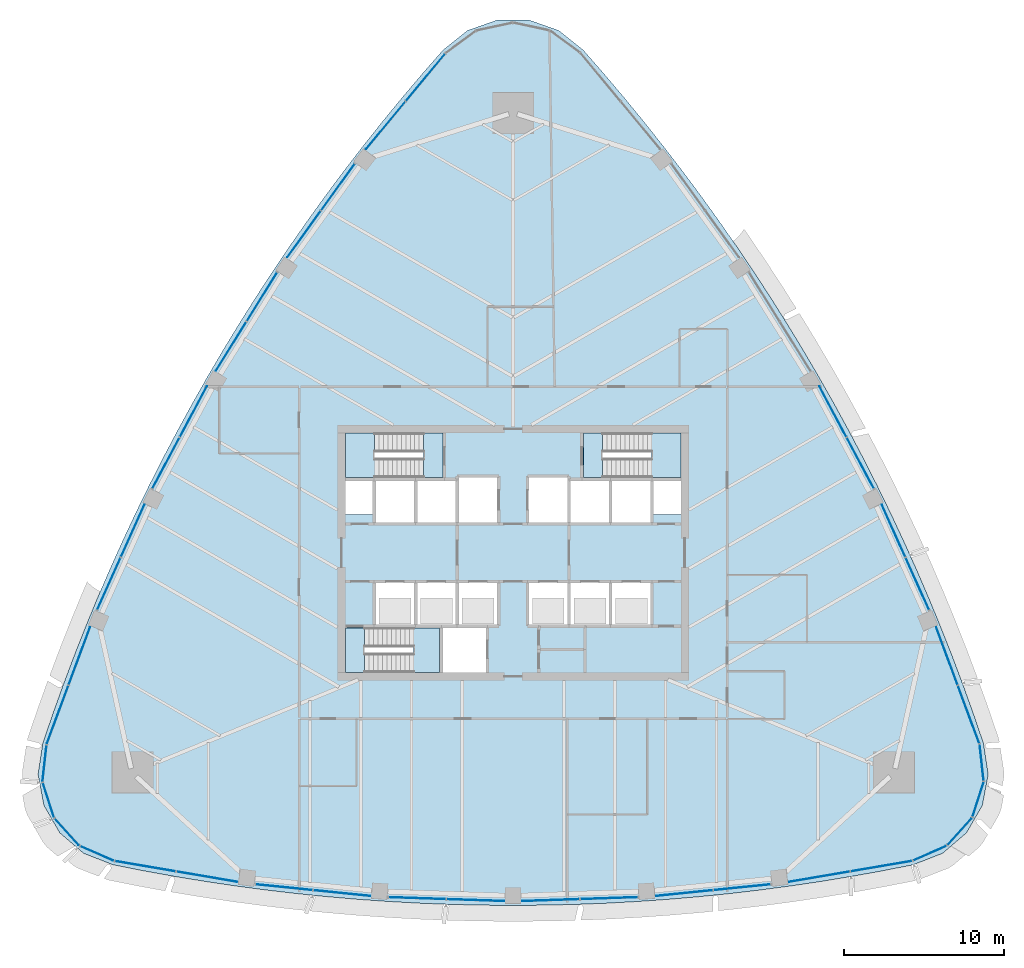
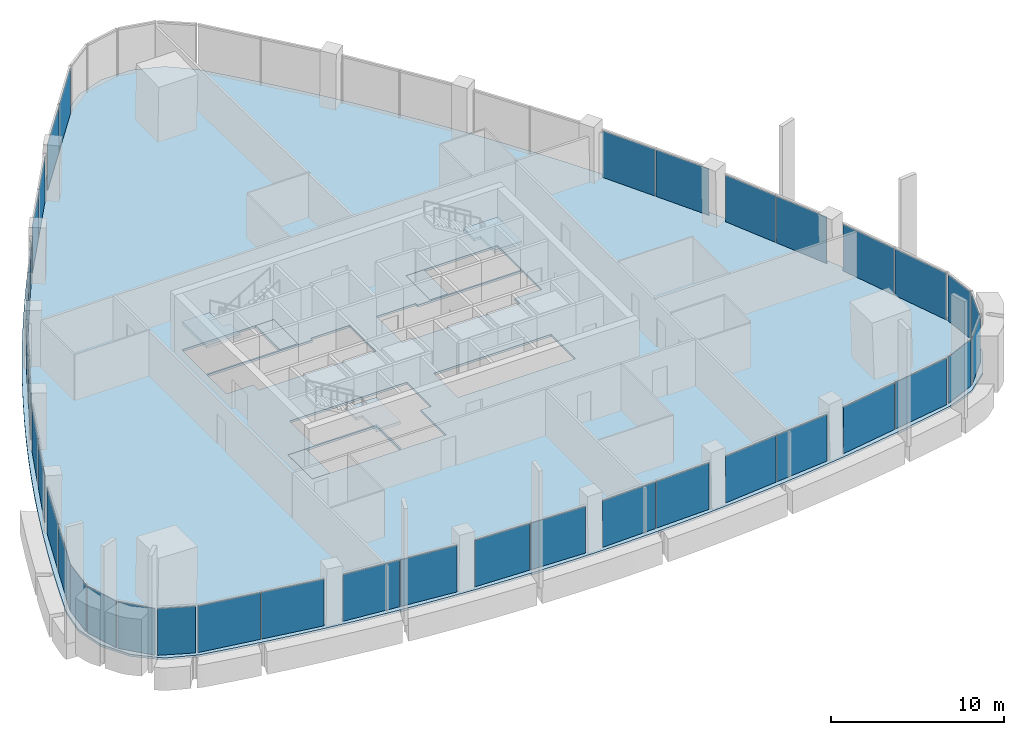
# One storey, part 8 of 17: 38 plates, 7 slabs, 26 elements without a shape of their own.
"""IFC4 building model written with IfcOpenShell, lengths in metres."""

from ifc_helpers import new_model, si_unit, direction, frame, origin, origin_2d, place, context, subcontext, project, spatial, polyline, rectangle, outline, extrude, material, layer, layer_set, type_object, element, aggregate, save


model = new_model("IFC4")

# Units and contexts
model_context = context("Model", 3, precision=1e-05, world=origin(), true_north=direction((0.0, 1.0)))
body_context = subcontext(model_context, "Body", "Model", "MODEL_VIEW")
ifc_project = project(units=[si_unit("LENGTHUNIT", "METRE"), si_unit("AREAUNIT", "SQUARE_METRE"), si_unit("VOLUMEUNIT", "CUBIC_METRE"), si_unit("PLANEANGLEUNIT", "RADIAN"), si_unit("MASSUNIT", "GRAM", prefix="KILO")], contexts=[model_context])

# Site, building, storey
site_placement = place(None, origin())
site = spatial("IfcSite", under=ifc_project, at=site_placement, CompositionType="ELEMENT")
building_placement = place(site_placement, origin())
building = spatial("IfcBuilding", under=site, at=building_placement, Name="Sierra Prisma Convention Tower", CompositionType="ELEMENT")
storey_placement = place(building_placement, frame((0.0, 0.0, 169.800048828125)))
storey = spatial("IfcBuildingStorey", under=building, at=storey_placement, Name="L37", CompositionType="ELEMENT", Elevation=169.800048828125)

# Curtain wall, plates
ifc_material_1 = material(Name="Aluminium and glass curtain wall", Category="aluminium")
ifc_layer_1 = layer(ifc_material_1, 0.179931640625)
ifc_layer_set_1 = layer_set([ifc_layer_1], Name="CW-1 Plain shaft curtain wall")
curtain_wall_type = type_object("IfcCurtainWallType", Name="CW-1 Plain shaft curtain wall", PredefinedType="NOTDEFINED", material=ifc_layer_set_1)
curtain_wall_1_placement = place(storey_placement, origin())
curtain_wall_1 = element("IfcCurtainWall", 1, at=curtain_wall_1_placement, inside=storey, type_object=curtain_wall_type, Name="CW-1 S1 L37", PredefinedType="NOTDEFINED")
ifc_material_2 = material(Name="Tinted glass bronze-grey IGU", Category="glass")
ifc_layer_2 = layer(ifc_material_2, 0.028076171875)
ifc_layer_set_2 = layer_set([ifc_layer_2], Name="CW-1 glass panel")
plate_type = type_object("IfcPlateType", Name="CW-1 glass panel", PredefinedType="CURTAIN_PANEL", material=ifc_layer_set_2)
plate_1_placement = place(storey_placement, frame((-23.031005859375, -19.629638671875, 0.0), z_axis=(0.0, 0.0, 1.0), x_axis=(0.985820196303, -0.167805067151, 0.0)))
plate_1 = element("IfcPlate", 2, at=plate_1_placement, type_object=plate_type, Name="CW-1 panel S1.1", PredefinedType="CURTAIN_PANEL", context=body_context, shape_type="SweptSolid", body=[
    extrude(rectangle(XDim=3.838134765625, YDim=0.028076171875, at=origin_2d()), origin(), (0.0, 0.0, 1.0), 3.280029296875),
])
plate_2_placement = place(storey_placement, frame((-19.178466796875, -20.28564453125, 0.0), z_axis=(0.0, 0.0, 1.0), x_axis=(0.985820196303, -0.167805067151, 0.0)))
plate_2 = element("IfcPlate", 3, at=plate_2_placement, type_object=plate_type, Name="CW-1 panel S1.2", PredefinedType="CURTAIN_PANEL", context=body_context, shape_type="SweptSolid", body=[
    extrude(rectangle(XDim=3.838134765625, YDim=0.028076171875, at=origin_2d()), origin(), (0.0, 0.0, 1.0), 3.280029296875),
])
aggregate(curtain_wall_1, [plate_1, plate_2])

curtain_wall_2_placement = place(storey_placement, origin())
curtain_wall_2 = element("IfcCurtainWall", 4, at=curtain_wall_2_placement, inside=storey, type_object=curtain_wall_type, Name="CW-1 S2 L37", PredefinedType="NOTDEFINED")
plate_3_placement = place(storey_placement, frame((-14.33935546875, -20.9453125, 0.0), z_axis=(0.0, 0.0, 1.0), x_axis=(0.994887523019, -0.100989190223, 0.0)))
plate_3 = element("IfcPlate", 5, at=plate_3_placement, type_object=plate_type, Name="CW-1 panel S2.1", PredefinedType="CURTAIN_PANEL", context=body_context, shape_type="SweptSolid", body=[
    extrude(rectangle(XDim=3.565673828125, YDim=0.028076171875, at=origin_2d()), origin(), (0.0, 0.0, 1.0), 3.280029296875),
])
plate_4_placement = place(storey_placement, frame((-10.72216796875, -21.3125, 0.0), z_axis=(0.0, 0.0, 1.0), x_axis=(0.994887523019, -0.100989190223, 0.0)))
plate_4 = element("IfcPlate", 6, at=plate_4_placement, type_object=plate_type, Name="CW-1 panel S2.2", PredefinedType="CURTAIN_PANEL", context=body_context, shape_type="SweptSolid", body=[
    extrude(rectangle(XDim=3.565673828125, YDim=0.028076171875, at=origin_2d()), origin(), (0.0, 0.0, 1.0), 3.280029296875),
])
aggregate(curtain_wall_2, [plate_3, plate_4])

curtain_wall_3_placement = place(storey_placement, origin())
curtain_wall_3 = element("IfcCurtainWall", 7, at=curtain_wall_3_placement, inside=storey, type_object=curtain_wall_type, Name="CW-1 S3 L37", PredefinedType="NOTDEFINED")
plate_5_placement = place(storey_placement, frame((-6.00927734375, -21.630126953125, 0.0), z_axis=(0.0, 0.0, 1.0), x_axis=(0.999431516185, -0.033714158083, 0.0)))
plate_5 = element("IfcPlate", 8, at=plate_5_placement, type_object=plate_type, Name="CW-1 panel S3.1", PredefinedType="CURTAIN_PANEL", context=body_context, shape_type="SweptSolid", body=[
    extrude(rectangle(XDim=3.581787109375, YDim=0.028076171875, at=origin_2d()), origin(), (0.0, 0.0, 1.0), 3.280029296875),
])
plate_6_placement = place(storey_placement, frame((-2.359619140625, -21.753173828125, 0.0), z_axis=(0.0, 0.0, 1.0), x_axis=(0.999431516185, -0.033714158083, 0.0)))
plate_6 = element("IfcPlate", 9, at=plate_6_placement, type_object=plate_type, Name="CW-1 panel S3.2", PredefinedType="CURTAIN_PANEL", context=body_context, shape_type="SweptSolid", body=[
    extrude(rectangle(XDim=3.581787109375, YDim=0.028076171875, at=origin_2d()), origin(), (0.0, 0.0, 1.0), 3.280029296875),
])
aggregate(curtain_wall_3, [plate_5, plate_6])

curtain_wall_4_placement = place(storey_placement, origin())
curtain_wall_4 = element("IfcCurtainWall", 10, at=curtain_wall_4_placement, inside=storey, type_object=curtain_wall_type, Name="CW-1 S4 L37", PredefinedType="NOTDEFINED")
plate_7_placement = place(storey_placement, frame((2.359619140625, -21.753173828125, 0.0), z_axis=(0.0, 0.0, 1.0), x_axis=(0.999431516185, 0.033714158083, 0.0)))
plate_7 = element("IfcPlate", 11, at=plate_7_placement, type_object=plate_type, Name="CW-1 panel S4.1", PredefinedType="CURTAIN_PANEL", context=body_context, shape_type="SweptSolid", body=[
    extrude(rectangle(XDim=3.581787109375, YDim=0.028076171875, at=origin_2d()), origin(), (0.0, 0.0, 1.0), 3.280029296875),
])
plate_8_placement = place(storey_placement, frame((6.00927734375, -21.630126953125, 0.0), z_axis=(0.0, 0.0, 1.0), x_axis=(0.999431516185, 0.033714158083, 0.0)))
plate_8 = element("IfcPlate", 12, at=plate_8_placement, type_object=plate_type, Name="CW-1 panel S4.2", PredefinedType="CURTAIN_PANEL", context=body_context, shape_type="SweptSolid", body=[
    extrude(rectangle(XDim=3.581787109375, YDim=0.028076171875, at=origin_2d()), origin(), (0.0, 0.0, 1.0), 3.280029296875),
])
aggregate(curtain_wall_4, [plate_7, plate_8])

curtain_wall_5_placement = place(storey_placement, origin())
curtain_wall_5 = element("IfcCurtainWall", 13, at=curtain_wall_5_placement, inside=storey, type_object=curtain_wall_type, Name="CW-1 S5 L37", PredefinedType="NOTDEFINED")
plate_9_placement = place(storey_placement, frame((10.72216796875, -21.3125, 0.0), z_axis=(0.0, 0.0, 1.0), x_axis=(0.994887523019, 0.100989190223, 0.0)))
plate_9 = element("IfcPlate", 14, at=plate_9_placement, type_object=plate_type, Name="CW-1 panel S5.1", PredefinedType="CURTAIN_PANEL", context=body_context, shape_type="SweptSolid", body=[
    extrude(rectangle(XDim=3.565673828125, YDim=0.028076171875, at=origin_2d()), origin(), (0.0, 0.0, 1.0), 3.280029296875),
])
plate_10_placement = place(storey_placement, frame((14.33935546875, -20.9453125, 0.0), z_axis=(0.0, 0.0, 1.0), x_axis=(0.994887523019, 0.100989190223, 0.0)))
plate_10 = element("IfcPlate", 15, at=plate_10_placement, type_object=plate_type, Name="CW-1 panel S5.2", PredefinedType="CURTAIN_PANEL", context=body_context, shape_type="SweptSolid", body=[
    extrude(rectangle(XDim=3.565673828125, YDim=0.028076171875, at=origin_2d()), origin(), (0.0, 0.0, 1.0), 3.280029296875),
])
aggregate(curtain_wall_5, [plate_9, plate_10])

curtain_wall_6_placement = place(storey_placement, origin())
curtain_wall_6 = element("IfcCurtainWall", 16, at=curtain_wall_6_placement, inside=storey, type_object=curtain_wall_type, Name="CW-1 S6 L37", PredefinedType="NOTDEFINED")
plate_11_placement = place(storey_placement, frame((19.178466796875, -20.28564453125, 0.0), z_axis=(0.0, 0.0, 1.0), x_axis=(0.985820196303, 0.167805067151, 0.0)))
plate_11 = element("IfcPlate", 17, at=plate_11_placement, type_object=plate_type, Name="CW-1 panel S6.1", PredefinedType="CURTAIN_PANEL", context=body_context, shape_type="SweptSolid", body=[
    extrude(rectangle(XDim=3.838134765625, YDim=0.028076171875, at=origin_2d()), origin(), (0.0, 0.0, 1.0), 3.280029296875),
])
plate_12_placement = place(storey_placement, frame((23.031005859375, -19.629638671875, 0.0), z_axis=(0.0, 0.0, 1.0), x_axis=(0.985820196303, 0.167805067151, 0.0)))
plate_12 = element("IfcPlate", 18, at=plate_12_placement, type_object=plate_type, Name="CW-1 panel S6.2", PredefinedType="CURTAIN_PANEL", context=body_context, shape_type="SweptSolid", body=[
    extrude(rectangle(XDim=3.838134765625, YDim=0.028076171875, at=origin_2d()), origin(), (0.0, 0.0, 1.0), 3.280029296875),
])
aggregate(curtain_wall_6, [plate_11, plate_12])

# Curtain wall, plate
curtain_wall_7_placement = place(storey_placement, origin())
curtain_wall_7 = element("IfcCurtainWall", 19, at=curtain_wall_7_placement, inside=storey, type_object=curtain_wall_type, Name="CW-1 SE1 L37", PredefinedType="NOTDEFINED")
plate_13_placement = place(storey_placement, frame((26.07373046875, -18.8212890625, 0.0), z_axis=(0.0, 0.0, 1.0), x_axis=(0.915703256943, 0.401855129647, 0.0)))
plate_13 = element("IfcPlate", 20, at=plate_13_placement, type_object=plate_type, Name="CW-1 panel SE1.1", PredefinedType="CURTAIN_PANEL", context=body_context, shape_type="SweptSolid", body=[
    extrude(rectangle(XDim=2.22314453125, YDim=0.028076171875, at=origin_2d()), origin(), (0.0, 0.0, 1.0), 3.280029296875),
])
aggregate(curtain_wall_7, [plate_13])

curtain_wall_8_placement = place(storey_placement, origin())
curtain_wall_8 = element("IfcCurtainWall", 21, at=curtain_wall_8_placement, inside=storey, type_object=curtain_wall_type, Name="CW-1 SE2 L37", PredefinedType="NOTDEFINED")
plate_14_placement = place(storey_placement, frame((27.947998046875, -17.4697265625, 0.0), z_axis=(0.0, 0.0, 1.0), x_axis=(0.670451642462, 0.741953229739, 0.0)))
plate_14 = element("IfcPlate", 22, at=plate_14_placement, type_object=plate_type, Name="CW-1 panel SE2.1", PredefinedType="CURTAIN_PANEL", context=body_context, shape_type="SweptSolid", body=[
    extrude(rectangle(XDim=2.22314453125, YDim=0.028076171875, at=origin_2d()), origin(), (0.0, 0.0, 1.0), 3.280029296875),
])
aggregate(curtain_wall_8, [plate_14])

curtain_wall_9_placement = place(storey_placement, origin())
curtain_wall_9 = element("IfcCurtainWall", 23, at=curtain_wall_9_placement, inside=storey, type_object=curtain_wall_type, Name="CW-1 SE3 L37", PredefinedType="NOTDEFINED")
plate_15_placement = place(storey_placement, frame((29.103271484375, -15.46875, 0.0), z_axis=(0.0, 0.0, 1.0), x_axis=(0.307324524143, 0.95160476925, 0.0)))
plate_15 = element("IfcPlate", 24, at=plate_15_placement, type_object=plate_type, Name="CW-1 panel SE3.1", PredefinedType="CURTAIN_PANEL", context=body_context, shape_type="SweptSolid", body=[
    extrude(rectangle(XDim=2.22314453125, YDim=0.028076171875, at=origin_2d()), origin(), (0.0, 0.0, 1.0), 3.280029296875),
])
aggregate(curtain_wall_9, [plate_15])

curtain_wall_10_placement = place(storey_placement, origin())
curtain_wall_10 = element("IfcCurtainWall", 25, at=curtain_wall_10_placement, inside=storey, type_object=curtain_wall_type, Name="CW-1 SE4 L37", PredefinedType="NOTDEFINED")
plate_16_placement = place(storey_placement, frame((29.33642578125, -13.169921875, 0.0), z_axis=(0.0, 0.0, 1.0), x_axis=(-0.109834877556, 0.993949847664, 0.0)))
plate_16 = element("IfcPlate", 26, at=plate_16_placement, type_object=plate_type, Name="CW-1 panel SE4.1", PredefinedType="CURTAIN_PANEL", context=body_context, shape_type="SweptSolid", body=[
    extrude(rectangle(XDim=2.22314453125, YDim=0.028076171875, at=origin_2d()), origin(), (0.0, 0.0, 1.0), 3.280029296875),
])
aggregate(curtain_wall_10, [plate_16])

# Curtain wall, plates
curtain_wall_11_placement = place(storey_placement, origin())
curtain_wall_11 = element("IfcCurtainWall", 27, at=curtain_wall_11_placement, inside=storey, type_object=curtain_wall_type, Name="CW-1 NE1 L37", PredefinedType="NOTDEFINED")
plate_17_placement = place(storey_placement, frame((28.515380859375, -10.130615234375, 0.0), z_axis=(0.0, 0.0, 1.0), x_axis=(-0.347586647115, 0.937647867137, 0.0)))
plate_17 = element("IfcPlate", 28, at=plate_17_placement, type_object=plate_type, Name="CW-1 panel NE1.1", PredefinedType="CURTAIN_PANEL", context=body_context, shape_type="SweptSolid", body=[
    extrude(rectangle(XDim=3.838134765625, YDim=0.028076171875, at=origin_2d()), origin(), (0.0, 0.0, 1.0), 3.280029296875),
])
plate_18_placement = place(storey_placement, frame((27.156982421875, -6.466064453125, 0.0), z_axis=(0.0, 0.0, 1.0), x_axis=(-0.347586647115, 0.937647867137, 0.0)))
plate_18 = element("IfcPlate", 29, at=plate_18_placement, type_object=plate_type, Name="CW-1 panel NE1.2", PredefinedType="CURTAIN_PANEL", context=body_context, shape_type="SweptSolid", body=[
    extrude(rectangle(XDim=3.838134765625, YDim=0.028076171875, at=origin_2d()), origin(), (0.0, 0.0, 1.0), 3.280029296875),
])
aggregate(curtain_wall_11, [plate_17, plate_18])

curtain_wall_12_placement = place(storey_placement, origin())
curtain_wall_12 = element("IfcCurtainWall", 30, at=curtain_wall_12_placement, inside=storey, type_object=curtain_wall_type, Name="CW-1 NE2 L37", PredefinedType="NOTDEFINED")
plate_19_placement = place(storey_placement, frame((25.308837890625, -1.94580078125, 0.0), z_axis=(0.0, 0.0, 1.0), x_axis=(-0.409984557268, 0.912092463954, 0.0)))
plate_19 = element("IfcPlate", 31, at=plate_19_placement, type_object=plate_type, Name="CW-1 panel NE2.1", PredefinedType="CURTAIN_PANEL", context=body_context, shape_type="SweptSolid", body=[
    extrude(rectangle(XDim=3.56591796875, YDim=0.028076171875, at=origin_2d()), origin(), (0.0, 0.0, 1.0), 3.280029296875),
])
plate_20_placement = place(storey_placement, frame((23.818359375, 1.37060546875, 0.0), z_axis=(0.0, 0.0, 1.0), x_axis=(-0.409984557268, 0.912092463954, 0.0)))
plate_20 = element("IfcPlate", 32, at=plate_20_placement, type_object=plate_type, Name="CW-1 panel NE2.2", PredefinedType="CURTAIN_PANEL", context=body_context, shape_type="SweptSolid", body=[
    extrude(rectangle(XDim=3.56591796875, YDim=0.028076171875, at=origin_2d()), origin(), (0.0, 0.0, 1.0), 3.280029296875),
])
aggregate(curtain_wall_12, [plate_19, plate_20])

curtain_wall_13_placement = place(storey_placement, origin())
curtain_wall_13 = element("IfcCurtainWall", 33, at=curtain_wall_13_placement, inside=storey, type_object=curtain_wall_type, Name="CW-1 NE3 L37", PredefinedType="NOTDEFINED")
plate_21_placement = place(storey_placement, frame((21.737060546875, 5.61083984375, 0.0), z_axis=(0.0, 0.0, 1.0), x_axis=(-0.470518440726, 0.882390161401, 0.0)))
plate_21 = element("IfcPlate", 34, at=plate_21_placement, type_object=plate_type, Name="CW-1 panel NE3.1", PredefinedType="CURTAIN_PANEL", context=body_context, shape_type="SweptSolid", body=[
    extrude(rectangle(XDim=3.581787109375, YDim=0.028076171875, at=origin_2d()), origin(), (0.0, 0.0, 1.0), 3.280029296875),
])
plate_22_placement = place(storey_placement, frame((20.0185546875, 8.833251953125, 0.0), z_axis=(0.0, 0.0, 1.0), x_axis=(-0.470518440726, 0.882390161401, 0.0)))
plate_22 = element("IfcPlate", 35, at=plate_22_placement, type_object=plate_type, Name="CW-1 panel NE3.2", PredefinedType="CURTAIN_PANEL", context=body_context, shape_type="SweptSolid", body=[
    extrude(rectangle(XDim=3.581787109375, YDim=0.028076171875, at=origin_2d()), origin(), (0.0, 0.0, 1.0), 3.280029296875),
])
aggregate(curtain_wall_13, [plate_21, plate_22])

curtain_wall_14_placement = place(storey_placement, origin())
curtain_wall_14 = element("IfcCurtainWall", 36, at=curtain_wall_14_placement, inside=storey, type_object=curtain_wall_type, Name="CW-1 NW1 L37", PredefinedType="NOTDEFINED")
plate_23_placement = place(storey_placement, frame((-5.484375, 29.76025390625, 0.0), z_axis=(0.0, 0.0, 1.0), x_axis=(-0.638233549188, -0.769842799986, 0.0)))
plate_23 = element("IfcPlate", 37, at=plate_23_placement, type_object=plate_type, Name="CW-1 panel NW1.1", PredefinedType="CURTAIN_PANEL", context=body_context, shape_type="SweptSolid", body=[
    extrude(rectangle(XDim=3.838134765625, YDim=0.028076171875, at=origin_2d()), origin(), (0.0, 0.0, 1.0), 3.280029296875),
])
plate_24_placement = place(storey_placement, frame((-7.978515625, 26.751708984375, 0.0), z_axis=(0.0, 0.0, 1.0), x_axis=(-0.638233549188, -0.769842799986, 0.0)))
plate_24 = element("IfcPlate", 38, at=plate_24_placement, type_object=plate_type, Name="CW-1 panel NW1.2", PredefinedType="CURTAIN_PANEL", context=body_context, shape_type="SweptSolid", body=[
    extrude(rectangle(XDim=3.838134765625, YDim=0.028076171875, at=origin_2d()), origin(), (0.0, 0.0, 1.0), 3.280029296875),
])
aggregate(curtain_wall_14, [plate_23, plate_24])

curtain_wall_15_placement = place(storey_placement, origin())
curtain_wall_15 = element("IfcCurtainWall", 39, at=curtain_wall_15_placement, inside=storey, type_object=curtain_wall_type, Name="CW-1 NW2 L37", PredefinedType="NOTDEFINED")
plate_25_placement = place(storey_placement, frame((-10.969482421875, 22.890869140625, 0.0), z_axis=(0.0, 0.0, 1.0), x_axis=(-0.58490296575, -0.811103273731, 0.0)))
plate_25 = element("IfcPlate", 40, at=plate_25_placement, type_object=plate_type, Name="CW-1 panel NW2.1", PredefinedType="CURTAIN_PANEL", context=body_context, shape_type="SweptSolid", body=[
    extrude(rectangle(XDim=3.565673828125, YDim=0.028076171875, at=origin_2d()), origin(), (0.0, 0.0, 1.0), 3.280029296875),
])
plate_26_placement = place(storey_placement, frame((-13.095947265625, 19.94189453125, 0.0), z_axis=(0.0, 0.0, 1.0), x_axis=(-0.58490296575, -0.811103273731, 0.0)))
plate_26 = element("IfcPlate", 41, at=plate_26_placement, type_object=plate_type, Name="CW-1 panel NW2.2", PredefinedType="CURTAIN_PANEL", context=body_context, shape_type="SweptSolid", body=[
    extrude(rectangle(XDim=3.565673828125, YDim=0.028076171875, at=origin_2d()), origin(), (0.0, 0.0, 1.0), 3.280029296875),
])
aggregate(curtain_wall_15, [plate_25, plate_26])

curtain_wall_16_placement = place(storey_placement, origin())
curtain_wall_16 = element("IfcCurtainWall", 42, at=curtain_wall_16_placement, inside=storey, type_object=curtain_wall_type, Name="CW-1 NW3 L37", PredefinedType="NOTDEFINED")
plate_27_placement = place(storey_placement, frame((-15.7275390625, 16.019287109375, 0.0), z_axis=(0.0, 0.0, 1.0), x_axis=(-0.52891307546, -0.848676003318, 0.0)))
plate_27 = element("IfcPlate", 43, at=plate_27_placement, type_object=plate_type, Name="CW-1 panel NW3.1", PredefinedType="CURTAIN_PANEL", context=body_context, shape_type="SweptSolid", body=[
    extrude(rectangle(XDim=3.581787109375, YDim=0.028076171875, at=origin_2d()), origin(), (0.0, 0.0, 1.0), 3.280029296875),
])
plate_28_placement = place(storey_placement, frame((-17.6591796875, 12.920166015625, 0.0), z_axis=(0.0, 0.0, 1.0), x_axis=(-0.52891307546, -0.848676003318, 0.0)))
plate_28 = element("IfcPlate", 44, at=plate_28_placement, type_object=plate_type, Name="CW-1 panel NW3.2", PredefinedType="CURTAIN_PANEL", context=body_context, shape_type="SweptSolid", body=[
    extrude(rectangle(XDim=3.581787109375, YDim=0.028076171875, at=origin_2d()), origin(), (0.0, 0.0, 1.0), 3.280029296875),
])
aggregate(curtain_wall_16, [plate_27, plate_28])

curtain_wall_17_placement = place(storey_placement, origin())
curtain_wall_17 = element("IfcCurtainWall", 45, at=curtain_wall_17_placement, inside=storey, type_object=curtain_wall_type, Name="CW-1 NW4 L37", PredefinedType="NOTDEFINED")
plate_29_placement = place(storey_placement, frame((-20.0185546875, 8.833251953125, 0.0), z_axis=(0.0, 0.0, 1.0), x_axis=(-0.470518440726, -0.882390161401, 0.0)))
plate_29 = element("IfcPlate", 46, at=plate_29_placement, type_object=plate_type, Name="CW-1 panel NW4.1", PredefinedType="CURTAIN_PANEL", context=body_context, shape_type="SweptSolid", body=[
    extrude(rectangle(XDim=3.581787109375, YDim=0.028076171875, at=origin_2d()), origin(), (0.0, 0.0, 1.0), 3.280029296875),
])
plate_30_placement = place(storey_placement, frame((-21.73681640625, 5.61083984375, 0.0), z_axis=(0.0, 0.0, 1.0), x_axis=(-0.470518440726, -0.882390161401, 0.0)))
plate_30 = element("IfcPlate", 47, at=plate_30_placement, type_object=plate_type, Name="CW-1 panel NW4.2", PredefinedType="CURTAIN_PANEL", context=body_context, shape_type="SweptSolid", body=[
    extrude(rectangle(XDim=3.581787109375, YDim=0.028076171875, at=origin_2d()), origin(), (0.0, 0.0, 1.0), 3.280029296875),
])
aggregate(curtain_wall_17, [plate_29, plate_30])

curtain_wall_18_placement = place(storey_placement, origin())
curtain_wall_18 = element("IfcCurtainWall", 48, at=curtain_wall_18_placement, inside=storey, type_object=curtain_wall_type, Name="CW-1 NW5 L37", PredefinedType="NOTDEFINED")
plate_31_placement = place(storey_placement, frame((-23.818359375, 1.37060546875, 0.0), z_axis=(0.0, 0.0, 1.0), x_axis=(-0.409984557268, -0.912092463954, 0.0)))
plate_31 = element("IfcPlate", 49, at=plate_31_placement, type_object=plate_type, Name="CW-1 panel NW5.1", PredefinedType="CURTAIN_PANEL", context=body_context, shape_type="SweptSolid", body=[
    extrude(rectangle(XDim=3.565673828125, YDim=0.028076171875, at=origin_2d()), origin(), (0.0, 0.0, 1.0), 3.280029296875),
])
plate_32_placement = place(storey_placement, frame((-25.308837890625, -1.945556640625, 0.0), z_axis=(0.0, 0.0, 1.0), x_axis=(-0.409984557268, -0.912092463954, 0.0)))
plate_32 = element("IfcPlate", 50, at=plate_32_placement, type_object=plate_type, Name="CW-1 panel NW5.2", PredefinedType="CURTAIN_PANEL", context=body_context, shape_type="SweptSolid", body=[
    extrude(rectangle(XDim=3.565673828125, YDim=0.028076171875, at=origin_2d()), origin(), (0.0, 0.0, 1.0), 3.280029296875),
])
aggregate(curtain_wall_18, [plate_31, plate_32])

curtain_wall_19_placement = place(storey_placement, origin())
curtain_wall_19 = element("IfcCurtainWall", 51, at=curtain_wall_19_placement, inside=storey, type_object=curtain_wall_type, Name="CW-1 NW6 L37", PredefinedType="NOTDEFINED")
plate_33_placement = place(storey_placement, frame((-27.156982421875, -6.466064453125, 0.0), z_axis=(0.0, 0.0, 1.0), x_axis=(-0.347586647115, -0.937647867137, 0.0)))
plate_33 = element("IfcPlate", 52, at=plate_33_placement, type_object=plate_type, Name="CW-1 panel NW6.1", PredefinedType="CURTAIN_PANEL", context=body_context, shape_type="SweptSolid", body=[
    extrude(rectangle(XDim=3.838134765625, YDim=0.028076171875, at=origin_2d()), origin(), (0.0, 0.0, 1.0), 3.280029296875),
])
plate_34_placement = place(storey_placement, frame((-28.515380859375, -10.130615234375, 0.0), z_axis=(0.0, 0.0, 1.0), x_axis=(-0.347586647115, -0.937647867137, 0.0)))
plate_34 = element("IfcPlate", 53, at=plate_34_placement, type_object=plate_type, Name="CW-1 panel NW6.2", PredefinedType="CURTAIN_PANEL", context=body_context, shape_type="SweptSolid", body=[
    extrude(rectangle(XDim=3.838134765625, YDim=0.028076171875, at=origin_2d()), origin(), (0.0, 0.0, 1.0), 3.280029296875),
])
aggregate(curtain_wall_19, [plate_33, plate_34])

# Curtain wall, plate
curtain_wall_20_placement = place(storey_placement, origin())
curtain_wall_20 = element("IfcCurtainWall", 54, at=curtain_wall_20_placement, inside=storey, type_object=curtain_wall_type, Name="CW-1 SW1 L37", PredefinedType="NOTDEFINED")
plate_35_placement = place(storey_placement, frame((-29.33642578125, -13.169921875, 0.0), z_axis=(0.0, 0.0, 1.0), x_axis=(-0.109834877556, -0.993949847664, 0.0)))
plate_35 = element("IfcPlate", 55, at=plate_35_placement, type_object=plate_type, Name="CW-1 panel SW1.1", PredefinedType="CURTAIN_PANEL", context=body_context, shape_type="SweptSolid", body=[
    extrude(rectangle(XDim=2.22314453125, YDim=0.028076171875, at=origin_2d()), origin(), (0.0, 0.0, 1.0), 3.280029296875),
])
aggregate(curtain_wall_20, [plate_35])

curtain_wall_21_placement = place(storey_placement, origin())
curtain_wall_21 = element("IfcCurtainWall", 56, at=curtain_wall_21_placement, inside=storey, type_object=curtain_wall_type, Name="CW-1 SW2 L37", PredefinedType="NOTDEFINED")
plate_36_placement = place(storey_placement, frame((-29.103271484375, -15.46875, 0.0), z_axis=(0.0, 0.0, 1.0), x_axis=(0.307324524143, -0.95160476925, 0.0)))
plate_36 = element("IfcPlate", 57, at=plate_36_placement, type_object=plate_type, Name="CW-1 panel SW2.1", PredefinedType="CURTAIN_PANEL", context=body_context, shape_type="SweptSolid", body=[
    extrude(rectangle(XDim=2.22314453125, YDim=0.028076171875, at=origin_2d()), origin(), (0.0, 0.0, 1.0), 3.280029296875),
])
aggregate(curtain_wall_21, [plate_36])

curtain_wall_22_placement = place(storey_placement, origin())
curtain_wall_22 = element("IfcCurtainWall", 58, at=curtain_wall_22_placement, inside=storey, type_object=curtain_wall_type, Name="CW-1 SW3 L37", PredefinedType="NOTDEFINED")
plate_37_placement = place(storey_placement, frame((-27.947998046875, -17.4697265625, 0.0), z_axis=(0.0, 0.0, 1.0), x_axis=(0.670451642462, -0.741953229739, 0.0)))
plate_37 = element("IfcPlate", 59, at=plate_37_placement, type_object=plate_type, Name="CW-1 panel SW3.1", PredefinedType="CURTAIN_PANEL", context=body_context, shape_type="SweptSolid", body=[
    extrude(rectangle(XDim=2.22314453125, YDim=0.028076171875, at=origin_2d()), origin(), (0.0, 0.0, 1.0), 3.280029296875),
])
aggregate(curtain_wall_22, [plate_37])

curtain_wall_23_placement = place(storey_placement, origin())
curtain_wall_23 = element("IfcCurtainWall", 60, at=curtain_wall_23_placement, inside=storey, type_object=curtain_wall_type, Name="CW-1 SW4 L37", PredefinedType="NOTDEFINED")
plate_38_placement = place(storey_placement, frame((-26.07373046875, -18.8212890625, 0.0), z_axis=(0.0, 0.0, 1.0), x_axis=(0.915703256943, -0.401855129647, 0.0)))
plate_38 = element("IfcPlate", 61, at=plate_38_placement, type_object=plate_type, Name="CW-1 panel SW4.1", PredefinedType="CURTAIN_PANEL", context=body_context, shape_type="SweptSolid", body=[
    extrude(rectangle(XDim=2.22314453125, YDim=0.028076171875, at=origin_2d()), origin(), (0.0, 0.0, 1.0), 3.280029296875),
])
aggregate(curtain_wall_23, [plate_38])

# Slab
ifc_material_3 = material(Name="Concrete C35/45", Category="concrete")
ifc_layer_3 = layer(ifc_material_3, 0.14990234375)
ifc_layer_set_3 = layer_set([ifc_layer_3], Name="Composite floor slab 150")
slab_type_1 = type_object("IfcSlabType", Name="Composite floor slab 150", PredefinedType="FLOOR", material=ifc_layer_set_3)
slab_1_placement = place(storey_placement, frame((0.0, 0.0, -0.150146484375)))
element("IfcSlab", 62, at=slab_1_placement, inside=storey, type_object=slab_type_1, Name="Floor slab L37 floor", PredefinedType="FLOOR", context=body_context, shape_type="SweptSolid", body=[
    extrude(outline(polyline([(-25.0419921875, -19.540771484375), (-23.13916015625, -19.915771484375), (-21.230712890625, -20.260986328125), (-19.31689453125, -20.57666015625), (-17.398681640625, -20.8623046875), (-15.47607421875, -21.1181640625), (-13.5498046875, -21.343994140625), (-11.6201171875, -21.539794921875), (-9.687744140625, -21.705810546875), (-7.753173828125, -21.841552734375), (-5.81640625, -21.947021484375), (-3.87841796875, -22.0224609375), (-1.939453125, -22.06787109375), (0.0, -22.082763671875), (1.939453125, -22.06787109375), (3.87841796875, -22.0224609375), (5.81640625, -21.947021484375), (7.753173828125, -21.841552734375), (9.687744140625, -21.705810546875), (11.6201171875, -21.539794921875), (13.5498046875, -21.343994140625), (15.47607421875, -21.1181640625), (17.398681640625, -20.8623046875), (19.31689453125, -20.57666015625), (21.230712890625, -20.260986328125), (23.13916015625, -19.915771484375), (25.0419921875, -19.540771484375), (26.88671875, -18.822509765625), (28.38916015625, -17.533447265625), (29.37890625, -15.81884765625), (29.744384765625, -13.873291015625), (29.44384765625, -11.916748046875), (28.817138671875, -10.081298828125), (28.161865234375, -8.255859375), (27.478271484375, -6.440673828125), (26.7666015625, -4.636474609375), (26.02685546875, -2.843505859375), (25.25927734375, -1.0625), (24.464111328125, 0.70654296875), (23.6416015625, 2.462890625), (22.791748046875, 4.206298828125), (21.9150390625, 5.936279296875), (21.01123046875, 7.65234375), (20.0810546875, 9.354248046875), (19.124267578125, 11.04150390625), (18.1416015625, 12.71337890625), (17.1328125, 14.3701171875), (16.098388671875, 16.0107421875), (15.038818359375, 17.635009765625), (13.953857421875, 19.24267578125), (12.843994140625, 20.833251953125), (11.70947265625, 22.406494140625), (10.55078125, 23.961669921875), (9.367919921875, 25.498779296875), (8.161376953125, 27.017333984375), (6.931396484375, 28.516845703125), (5.677978515625, 29.9970703125), (4.40185546875, 31.45751953125), (2.857421875, 32.696044921875), (0.98974609375, 33.352294921875), (-0.98974609375, 33.352294921875), (-2.857421875, 32.696044921875), (-4.40185546875, 31.45751953125), (-5.677978515625, 29.9970703125), (-6.931396484375, 28.516845703125), (-8.161376953125, 27.017333984375), (-9.367919921875, 25.498779296875), (-10.55078125, 23.961669921875), (-11.70947265625, 22.406494140625), (-12.843994140625, 20.833251953125), (-13.953857421875, 19.24267578125), (-15.038818359375, 17.635009765625), (-16.098388671875, 16.0107421875), (-17.1328125, 14.3701171875), (-18.1416015625, 12.71337890625), (-19.124267578125, 11.04150390625), (-20.0810546875, 9.354248046875), (-21.01123046875, 7.65234375), (-21.9150390625, 5.936279296875), (-22.791748046875, 4.206298828125), (-23.6416015625, 2.462890625), (-24.464111328125, 0.70654296875), (-25.25927734375, -1.0625), (-26.02685546875, -2.843505859375), (-26.7666015625, -4.636474609375), (-27.478271484375, -6.440673828125), (-28.161865234375, -8.255859375), (-28.817138671875, -10.081298828125), (-29.44384765625, -11.916748046875), (-29.744384765625, -13.873291015625), (-29.37890625, -15.81884765625), (-28.38916015625, -17.533447265625), (-26.88671875, -18.822509765625), (-25.0419921875, -19.540771484375)]), holes=[polyline([(-4.60009765625, -7.5), (-10.5, -7.5), (-10.5, -4.699951171875), (-4.60009765625, -4.699951171875), (-4.60009765625, -7.5)]), polyline([(-8.699951171875, -4.60009765625), (-8.699951171875, -1.800048828125), (-6.10009765625, -1.800048828125), (-3.5, -1.800048828125), (-0.89990234375, -1.800048828125), (-0.89990234375, -4.60009765625), (-1.60009765625, -4.60009765625), (-1.60009765625, -7.5), (-4.5, -7.5), (-4.5, -4.60009765625), (-6.10009765625, -4.60009765625), (-8.699951171875, -4.60009765625)]), polyline([(-10.5, 4.60009765625), (-8.699951171875, 4.60009765625), (-6.10009765625, 4.60009765625), (-3.5, 4.60009765625), (-3.5, 4.800048828125), (-0.89990234375, 4.800048828125), (-0.89990234375, 1.800048828125), (-3.5, 1.800048828125), (-6.10009765625, 1.800048828125), (-8.699951171875, 1.800048828125), (-8.699951171875, 2.39990234375), (-10.5, 2.39990234375), (-10.5, 4.60009765625)]), polyline([(-10.5, 4.699951171875), (-10.5, 7.5), (-4.39990234375, 7.5), (-4.39990234375, 4.699951171875), (-10.5, 4.699951171875)]), polyline([(6.10009765625, -1.800048828125), (8.699951171875, -1.800048828125), (8.699951171875, -4.60009765625), (6.10009765625, -4.60009765625), (3.5, -4.60009765625), (0.89990234375, -4.60009765625), (0.89990234375, -1.800048828125), (3.5, -1.800048828125), (6.10009765625, -1.800048828125)]), polyline([(8.699951171875, 4.60009765625), (10.5, 4.60009765625), (10.5, 2.39990234375), (8.699951171875, 2.39990234375), (8.699951171875, 1.800048828125), (6.10009765625, 1.800048828125), (3.5, 1.800048828125), (0.89990234375, 1.800048828125), (0.89990234375, 4.800048828125), (3.5, 4.800048828125), (3.5, 4.60009765625), (6.10009765625, 4.60009765625), (8.699951171875, 4.60009765625)]), polyline([(4.39990234375, 4.699951171875), (4.39990234375, 7.5), (10.5, 7.5), (10.5, 4.699951171875), (4.39990234375, 4.699951171875)])]), origin(), (0.0, 0.0, 1.0), 0.150146484375),
])

# Stair, slab
ifc_material_4 = material(Name="Concrete C30/37", Category="concrete")
stair_type = type_object("IfcStairType", Name="Stair dog-leg 1200 RC", PredefinedType="HALF_TURN_STAIR", material=ifc_material_4)
stair_1_placement = place(storey_placement, origin())
stair_1 = element("IfcStair", 63, at=stair_1_placement, inside=storey, type_object=stair_type, Name="L37 S1", PredefinedType="HALF_TURN_STAIR")
ifc_material_5 = material(Name="Concrete C35/45", Category="concrete")
ifc_layer_4 = layer(ifc_material_5, 0.199951171875)
ifc_layer_set_4 = layer_set([ifc_layer_4], Name="Stair landing slab")
slab_type_2 = type_object("IfcSlabType", Name="Stair landing slab", PredefinedType="LANDING", material=ifc_layer_set_4)
slab_2_placement = place(storey_placement, frame((0.0, 0.0, 1.800048828125)))
slab_2 = element("IfcSlab", 64, at=slab_2_placement, type_object=slab_type_2, Name="S1 landing 1", PredefinedType="LANDING", context=body_context, shape_type="SweptSolid", body=[
    extrude(outline(polyline([(-4.60009765625, -4.699951171875), (-4.60009765625, -7.5), (-6.221923828125, -7.5), (-6.221923828125, -5.89990234375), (-6.669921875, -5.89990234375), (-6.669921875, -4.699951171875), (-4.60009765625, -4.699951171875)])), origin(), (0.0, 0.0, 1.0), 0.199951171875),
])
aggregate(stair_1, [slab_2])

# Slab
slab_3_placement = place(storey_placement, frame((0.0, 0.0, -0.199951171875)))
element("IfcSlab", 65, at=slab_3_placement, inside=storey, type_object=slab_type_2, Name="S1 floor landing L37", PredefinedType="LANDING", context=body_context, shape_type="SweptSolid", body=[
    extrude(outline(polyline([(-10.5, -7.5), (-9.298095703125, -7.5), (-9.298095703125, -4.699951171875), (-10.5, -4.699951171875), (-10.5, -7.5)])), origin(), (0.0, 0.0, 1.0), 0.199951171875),
])

# Stair, slab
stair_2_placement = place(storey_placement, origin())
stair_2 = element("IfcStair", 66, at=stair_2_placement, inside=storey, type_object=stair_type, Name="L37 S3", PredefinedType="HALF_TURN_STAIR")
slab_4_placement = place(storey_placement, frame((0.0, 0.0, 1.800048828125)))
slab_4 = element("IfcSlab", 67, at=slab_4_placement, type_object=slab_type_2, Name="S3 landing 1", PredefinedType="LANDING", context=body_context, shape_type="SweptSolid", body=[
    extrude(outline(polyline([(-8.22998046875, 5.89990234375), (-8.22998046875, 4.699951171875), (-10.5, 4.699951171875), (-10.5, 7.5), (-8.677978515625, 7.5), (-8.677978515625, 5.89990234375), (-8.22998046875, 5.89990234375)])), origin(), (0.0, 0.0, 1.0), 0.199951171875),
])
aggregate(stair_2, [slab_4])

# Slab
slab_5_placement = place(storey_placement, frame((0.0, 0.0, -0.199951171875)))
element("IfcSlab", 68, at=slab_5_placement, inside=storey, type_object=slab_type_2, Name="S3 floor landing L37", PredefinedType="LANDING", context=body_context, shape_type="SweptSolid", body=[
    extrude(outline(polyline([(-4.39990234375, 7.5), (-5.60205078125, 7.5), (-5.60205078125, 4.699951171875), (-4.39990234375, 4.699951171875), (-4.39990234375, 7.5)])), origin(), (0.0, 0.0, 1.0), 0.199951171875),
])

# Stair, slab
stair_3_placement = place(storey_placement, origin())
stair_3 = element("IfcStair", 69, at=stair_3_placement, inside=storey, type_object=stair_type, Name="L37 S4", PredefinedType="HALF_TURN_STAIR")
slab_6_placement = place(storey_placement, frame((0.0, 0.0, 1.800048828125)))
slab_6 = element("IfcSlab", 70, at=slab_6_placement, type_object=slab_type_2, Name="S4 landing 1", PredefinedType="LANDING", context=body_context, shape_type="SweptSolid", body=[
    extrude(outline(polyline([(10.5, 7.5), (10.5, 4.699951171875), (8.677978515625, 4.699951171875), (8.677978515625, 6.300048828125), (8.22998046875, 6.300048828125), (8.22998046875, 7.5), (10.5, 7.5)])), origin(), (0.0, 0.0, 1.0), 0.199951171875),
])
aggregate(stair_3, [slab_6])

# Slab
slab_7_placement = place(storey_placement, frame((0.0, 0.0, -0.199951171875)))
element("IfcSlab", 71, at=slab_7_placement, inside=storey, type_object=slab_type_2, Name="S4 floor landing L37", PredefinedType="LANDING", context=body_context, shape_type="SweptSolid", body=[
    extrude(outline(polyline([(4.39990234375, 4.699951171875), (5.60205078125, 4.699951171875), (5.60205078125, 7.5), (4.39990234375, 7.5), (4.39990234375, 4.699951171875)])), origin(), (0.0, 0.0, 1.0), 0.199951171875),
])

save(model, "model.ifc")
